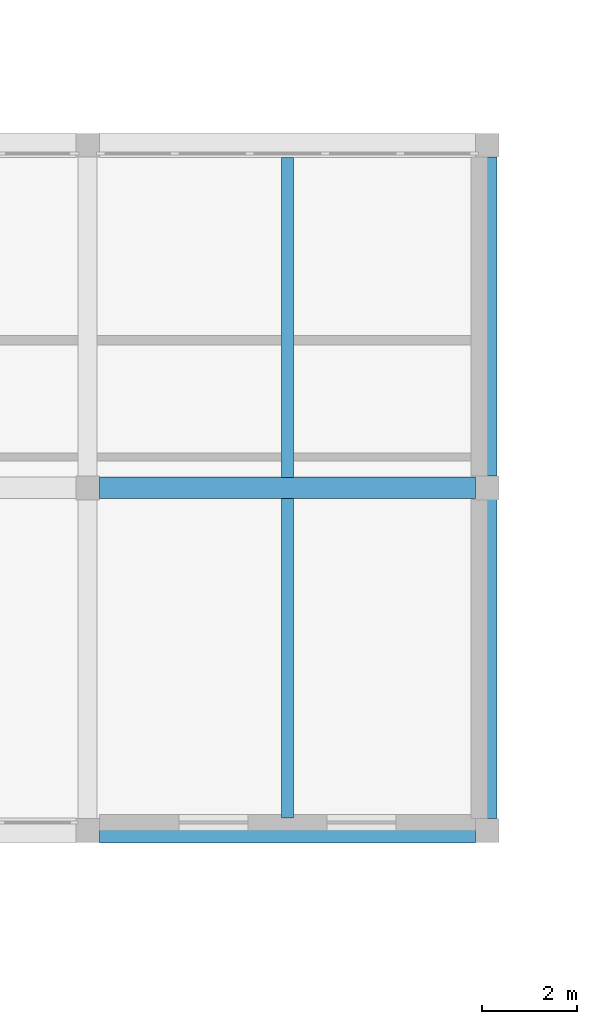
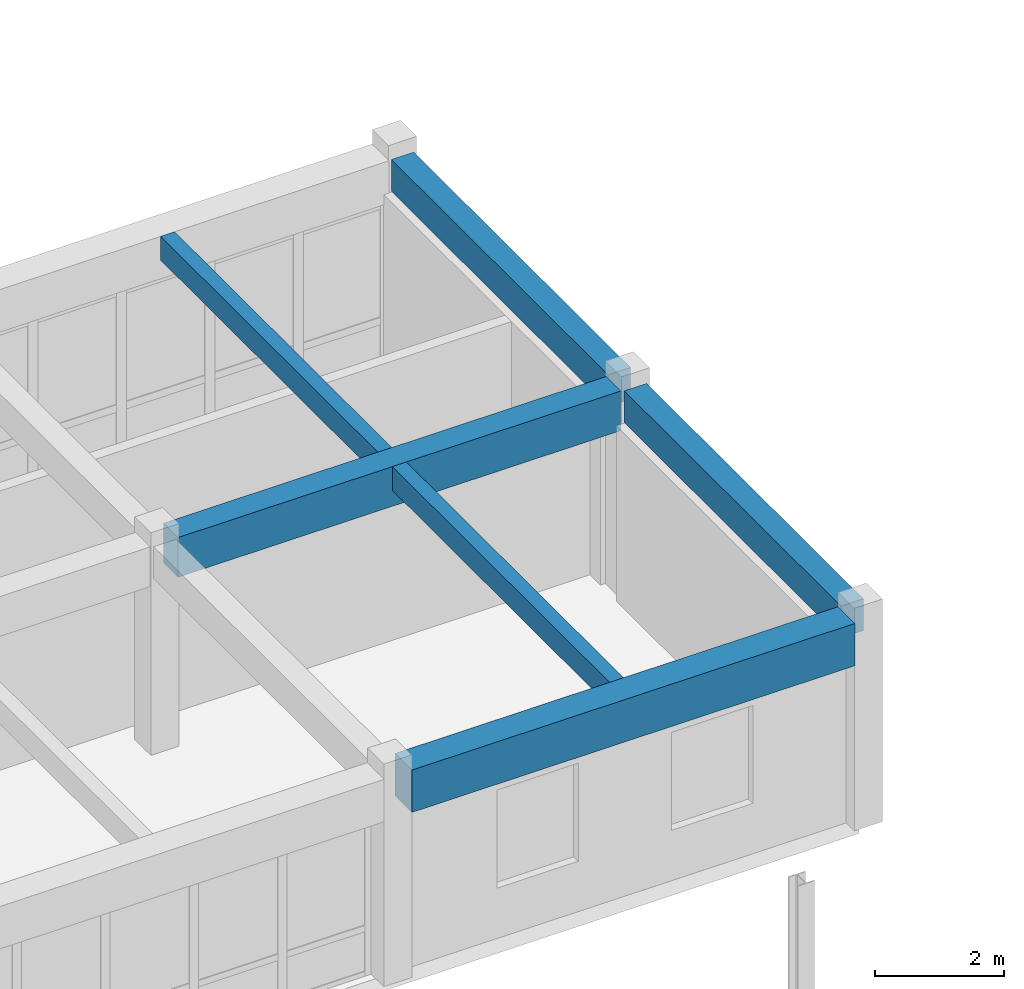
# One storey, part 85 of 147: 6 beams.
"""IFC4 building model written with IfcOpenShell, lengths in metres."""

from ifc_helpers import new_model, si_unit, direction, frame, origin, origin_2d, place, context, subcontext, project, spatial, rectangle, extrude, material, material_profile, profile_set, type_object, element, save


model = new_model("IFC4")

# Units and contexts
model_context = context("Model", 3, precision=1e-05, world=origin(), true_north=direction((0.0, 1.0)))
body_context = subcontext(model_context, "Body", "Model", "MODEL_VIEW")
ifc_project = project(units=[si_unit("LENGTHUNIT", "METRE"), si_unit("AREAUNIT", "SQUARE_METRE"), si_unit("VOLUMEUNIT", "CUBIC_METRE"), si_unit("PLANEANGLEUNIT", "RADIAN"), si_unit("MASSUNIT", "GRAM", prefix="KILO")], contexts=[model_context])

# Site, building, storey
site_placement = place(None, origin())
site = spatial("IfcSite", under=ifc_project, at=site_placement, CompositionType="ELEMENT")
building_placement = place(site_placement, origin())
building = spatial("IfcBuilding", under=site, at=building_placement, Name="Malvenik Polytechnic", CompositionType="ELEMENT")
storey_placement = place(building_placement, frame((0.0, 0.0, 5.10009765625)))
storey = spatial("IfcBuildingStorey", under=building, at=storey_placement, Name="L01", CompositionType="ELEMENT", Elevation=5.10009765625)

# Beams
ifc_material_1 = material(Name="Concrete C35/45", Category="concrete")
ifc_material_profile_1 = material_profile(ifc_material_1, rectangle(XDim=0.449951171875, YDim=0.75, at=origin_2d()), Name="RC BM 450x750")
ifc_profile_set_1 = profile_set([ifc_material_profile_1], Name="Concrete C35/45")
beam_type_1 = type_object("IfcBeamType", Name="STR-BM-B-03", PredefinedType="BEAM", material=ifc_profile_set_1)
beam_1_placement = place(storey_placement, frame((126.248046875, 57.60009765625, 3.544921875), z_axis=(1.0, 0.0, 0.0), x_axis=(0.0, 1.0, 0.0)))
element("IfcBeam", 1, at=beam_1_placement, inside=storey, type_object=beam_type_1, Name="Primary Beam B-03 L01 #1025", PredefinedType="BEAM", context=body_context, shape_type="SweptSolid", body=[
    extrude(rectangle(XDim=0.449951171875, YDim=0.75, at=origin_2d()), origin(), (0.0, 0.0, 1.0), 7.904052734375),
])
ifc_material_profile_2 = material_profile(ifc_material_1, rectangle(XDim=0.39990234375, YDim=0.60009765625, at=origin_2d()), Name="RC BM 400x600")
ifc_profile_set_2 = profile_set([ifc_material_profile_2], Name="Concrete C35/45")
beam_type_2 = type_object("IfcBeamType", Name="STR-BM-B-06", PredefinedType="BEAM", material=ifc_profile_set_2)
for number, where, z_axis, x_axis, name in (
    (2, (134.39990234375, 50.64794921875, 3.619873046875), (0.0, 1.0, 0.0), (-1.0, 0.0, 0.0), "Transverse Beam B-06 L01 #1244"),
    (3, (134.39990234375, 57.847900390625, 3.619873046875), (0.0, 1.0, 0.0), (-1.0, 0.0, 0.0), "Transverse Beam B-06 L01 #1245"),
):
    element("IfcBeam", number, at=place(storey_placement, frame(where, z_axis=z_axis, x_axis=x_axis)), inside=storey, type_object=beam_type_2, Name=name, PredefinedType="BEAM", context=body_context, shape_type="SweptSolid", body=[
        extrude(rectangle(XDim=0.39990234375, YDim=0.60009765625, at=origin_2d()), origin(), (0.0, 0.0, 1.0), 6.7041015625),
    ])
ifc_material_2 = material(Name="Concrete C30/37", Category="concrete")
ifc_material_profile_3 = material_profile(ifc_material_2, rectangle(XDim=0.25, YDim=0.449951171875, at=origin_2d()), Name="RC JST 250x450")
ifc_profile_set_3 = profile_set([ifc_material_profile_3], Name="Concrete C30/37")
beam_type_3 = type_object("IfcBeamType", Name="STR-BM-J-02", PredefinedType="JOIST", material=ifc_profile_set_3)
for number, where, z_axis, x_axis, name in (
    (4, (130.199951171875, 50.657958984375, 3.69482421875), (0.0, 1.0, 0.0), (-1.0, 0.0, 0.0), "Secondary Rib Joist J-02 L01 #1325"),
    (5, (130.199951171875, 57.822998046875, 3.69482421875), (0.0, 1.0, 0.0), (-1.0, 0.0, 0.0), "Secondary Rib Joist J-02 L01 #1326"),
):
    element("IfcBeam", number, at=place(storey_placement, frame(where, z_axis=z_axis, x_axis=x_axis)), inside=storey, type_object=beam_type_3, Name=name, PredefinedType="JOIST", context=body_context, shape_type="SweptSolid", body=[
        extrude(rectangle(XDim=0.25, YDim=0.449951171875, at=origin_2d()), origin(), (0.0, 0.0, 1.0), 6.718994140625),
    ])
ifc_material_3 = material(Name="Precast concrete C40/50", Category="concrete")
ifc_material_profile_4 = material_profile(ifc_material_3, rectangle(XDim=0.52001953125, YDim=0.800048828125, at=origin_2d()), Name="PC SPN 520x800")
ifc_profile_set_4 = profile_set([ifc_material_profile_4], Name="Precast concrete C40/50")
beam_type_4 = type_object("IfcBeamType", Name="STR-BM-SP-01", PredefinedType="SPANDREL", material=ifc_profile_set_4)
beam_2_placement = place(storey_placement, frame((126.248046875, 50.39990234375, 3.52001953125), z_axis=(1.0, 0.0, 0.0), x_axis=(0.0, 1.0, 0.0)))
element("IfcBeam", 6, at=beam_2_placement, inside=storey, type_object=beam_type_4, Name="Primary Beam SP-01 L01 #1014", PredefinedType="SPANDREL", context=body_context, shape_type="SweptSolid", body=[
    extrude(rectangle(XDim=0.52001953125, YDim=0.800048828125, at=origin_2d()), origin(), (0.0, 0.0, 1.0), 7.904052734375),
])

save(model, "model.ifc")
